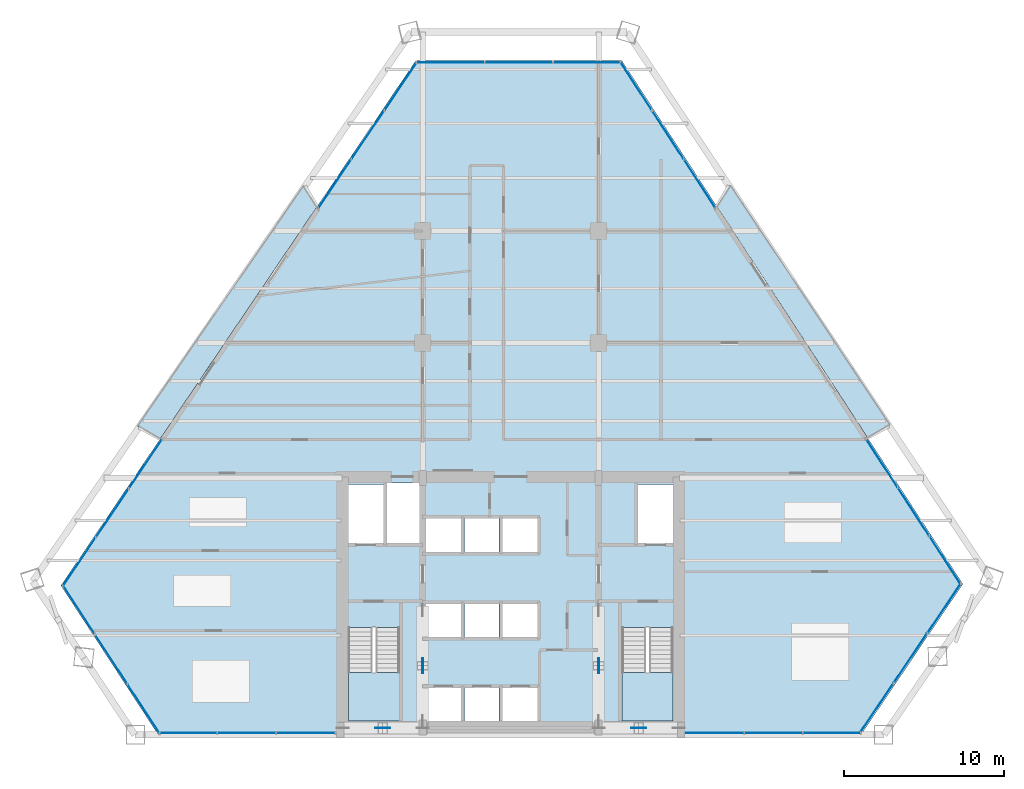
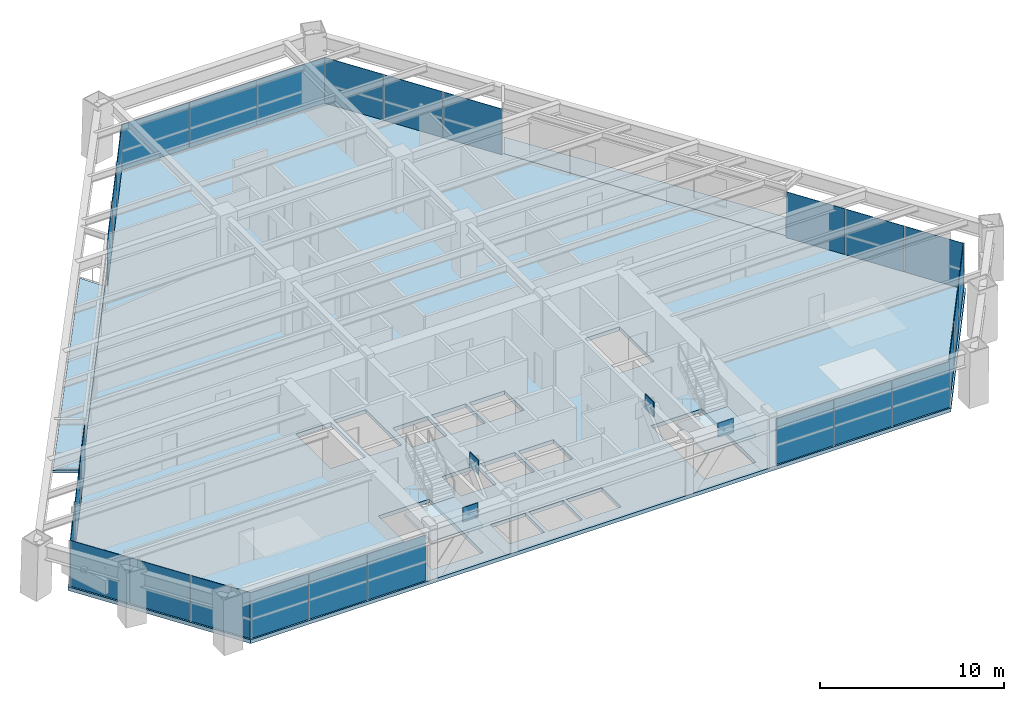
# One storey, part 9 of 14: 31 plates, 5 slabs, 11 elements without a shape of their own.
"""IFC4 building model written with IfcOpenShell, lengths in metres."""

from ifc_helpers import new_model, si_unit, direction, frame, origin, origin_2d, place, context, subcontext, project, spatial, polyline, rectangle, outline, extrude, source, transform, mapped, material, layer, layer_set, type_object, element, aggregate, save


model = new_model("IFC4")

# Units and contexts
model_context = context("Model", 3, precision=1e-05, world=origin(), true_north=direction((0.0, 1.0)))
body_context = subcontext(model_context, "Body", "Model", "MODEL_VIEW")
ifc_project = project(units=[si_unit("LENGTHUNIT", "METRE"), si_unit("AREAUNIT", "SQUARE_METRE"), si_unit("VOLUMEUNIT", "CUBIC_METRE"), si_unit("PLANEANGLEUNIT", "RADIAN"), si_unit("MASSUNIT", "GRAM", prefix="KILO")], contexts=[model_context])

# Site, building, storey
site_placement = place(None, origin())
site = spatial("IfcSite", under=ifc_project, at=site_placement, CompositionType="ELEMENT")
building_placement = place(site_placement, origin())
building = spatial("IfcBuilding", under=site, at=building_placement, Name="Varnakhor Terracotta Tower", CompositionType="ELEMENT")
storey_placement = place(building_placement, frame((0.0, 0.0, 84.0)))
storey = spatial("IfcBuildingStorey", under=building, at=storey_placement, Name="L20", CompositionType="ELEMENT", Elevation=84.0)

# Stair, slab
ifc_material_1 = material(Name="Concrete C40/50", Category="concrete")
stair_type = type_object("IfcStairType", Name="STR-CORE-OFFICE-1500", PredefinedType="HALF_TURN_STAIR", material=ifc_material_1)
stair_1_placement = place(storey_placement, origin())
stair_1 = element("IfcStair", 1, at=stair_1_placement, inside=storey, type_object=stair_type, Name="L20 Core Exit Stair ST-1", PredefinedType="HALF_TURN_STAIR")
ifc_layer_1 = layer(ifc_material_1, 0.179931640625, Name="Concrete C40/50")
ifc_layer_set_1 = layer_set([ifc_layer_1], Name="Concrete C40/50")
slab_type_1 = type_object("IfcSlabType", Name="SLB-LANDING-180", PredefinedType="LANDING", material=ifc_layer_set_1)
slab_1_placement = place(storey_placement, frame((0.0, 0.0, 1.64990234375)))
slab_1 = element("IfcSlab", 2, at=slab_1_placement, type_object=slab_type_1, Name="ST-1 landing 1", PredefinedType="LANDING", context=body_context, shape_type="SweptSolid", body=[
    extrude(outline(polyline([(-10.14990234375, 3.909912109375), (-10.14990234375, 0.85009765625), (-6.949951171875, 0.85009765625), (-6.949951171875, 3.909912109375), (-10.14990234375, 3.909912109375)])), origin(), (0.0, 0.0, 1.0), 0.2001953125),
])
aggregate(stair_1, [slab_1])

stair_2_placement = place(storey_placement, origin())
stair_2 = element("IfcStair", 3, at=stair_2_placement, inside=storey, type_object=stair_type, Name="L20 Core Exit Stair ST-2", PredefinedType="HALF_TURN_STAIR")
slab_2_placement = place(storey_placement, frame((0.0, 0.0, 1.64990234375)))
slab_2 = element("IfcSlab", 4, at=slab_2_placement, type_object=slab_type_1, Name="ST-2 landing 1", PredefinedType="LANDING", context=body_context, shape_type="SweptSolid", body=[
    extrude(outline(polyline([(6.949951171875, 3.909912109375), (6.949951171875, 0.85009765625), (10.14990234375, 0.85009765625), (10.14990234375, 3.909912109375), (6.949951171875, 3.909912109375)])), origin(), (0.0, 0.0, 1.0), 0.2001953125),
])
aggregate(stair_2, [slab_2])

# Slabs
ifc_layer_2 = layer(ifc_material_1, 0.195068359375, Name="Concrete C40/50")
ifc_layer_set_2 = layer_set([ifc_layer_2], Name="Concrete C40/50")
slab_type_2 = type_object("IfcSlabType", Name="SLB-LOGGIA-EXT-195", PredefinedType="FLOOR", material=ifc_layer_set_2)
slab_3_placement = place(storey_placement, frame((0.0, 0.0, -0.195068359375)))
element("IfcSlab", 5, at=slab_3_placement, inside=storey, type_object=slab_type_2, Name="L20 E Recessed Outdoor Loggia Slab", PredefinedType="FLOOR", context=body_context, shape_type="SweptSolid", body=[
    extrude(outline(polyline([(13.7138671875, 34.35888671875), (23.708251953125, 19.361572265625), (22.297119140625, 18.5908203125), (12.913818359375, 32.99072265625), (13.7138671875, 34.35888671875)])), origin(), (0.0, 0.0, 1.0), 0.195068359375),
])
slab_4_placement = place(storey_placement, frame((0.0, 0.0, -0.195068359375)))
element("IfcSlab", 6, at=slab_4_placement, inside=storey, type_object=slab_type_2, Name="L20 W Recessed Outdoor Loggia Slab", PredefinedType="FLOOR", context=body_context, shape_type="SweptSolid", body=[
    extrude(outline(polyline([(-23.31103515625, 19.2861328125), (-12.937255859375, 34.329345703125), (-12.1357421875, 32.962646484375), (-21.89697265625, 18.51806640625), (-23.31103515625, 19.2861328125)])), origin(), (0.0, 0.0, 1.0), 0.195068359375),
])
ifc_layer_3 = layer(ifc_material_1, 0.25, Name="Concrete C40/50")
ifc_layer_set_3 = layer_set([ifc_layer_3], Name="Concrete C40/50")
slab_type_3 = type_object("IfcSlabType", Name="SLB-OFF-250", PredefinedType="FLOOR", material=ifc_layer_set_3)
slab_5_placement = place(storey_placement, frame((0.0, 0.0, -0.25)))
element("IfcSlab", 7, at=slab_5_placement, inside=storey, type_object=slab_type_3, Name="L20 Structural Floor Slab", PredefinedType="FLOOR", context=body_context, shape_type="SweptSolid", body=[
    extrude(outline(polyline([(-28.1083984375, 9.326171875), (-5.92431640625, 42.154541015625), (6.942626953125, 42.154541015625), (28.26806640625, 9.427001953125), (21.897705078125, 0.0), (-22.031494140625, 0.0), (-28.1083984375, 9.326171875)]), holes=[polyline([(-3.10009765625, 0.85009765625), (-3.10009765625, 2.949951171875), (-5.300048828125, 2.949951171875), (-5.300048828125, 0.85009765625), (-3.10009765625, 0.85009765625)]), polyline([(-2.8798828125, 0.85009765625), (-0.719970703125, 0.85009765625), (-0.719970703125, 2.949951171875), (-2.8798828125, 2.949951171875), (-2.8798828125, 0.85009765625)]), polyline([(-10.14990234375, 0.85009765625), (-6.949951171875, 0.85009765625), (-6.949951171875, 6.695068359375), (-10.14990234375, 6.695068359375), (-10.14990234375, 0.85009765625)]), polyline([(-5.300048828125, 6.10009765625), (-3.10009765625, 6.10009765625), (-3.10009765625, 8.199951171875), (-5.300048828125, 8.199951171875), (-5.300048828125, 6.10009765625)]), polyline([(-5.300048828125, 11.419921875), (-3.10009765625, 11.419921875), (-3.10009765625, 13.52001953125), (-5.300048828125, 13.52001953125), (-5.300048828125, 11.419921875)]), polyline([(-10.14990234375, 11.8798828125), (-7.949951171875, 11.8798828125), (-7.949951171875, 15.64990234375), (-10.14990234375, 15.64990234375), (-10.14990234375, 11.8798828125)]), polyline([(-7.72998046875, 11.8798828125), (-5.699951171875, 11.8798828125), (-5.699951171875, 15.75), (-7.72998046875, 15.75), (-7.72998046875, 11.8798828125)]), polyline([(1.699951171875, 0.85009765625), (1.699951171875, 2.949951171875), (-0.5, 2.949951171875), (-0.5, 0.85009765625), (1.699951171875, 0.85009765625)]), polyline([(6.949951171875, 0.85009765625), (10.14990234375, 0.85009765625), (10.14990234375, 6.695068359375), (6.949951171875, 6.695068359375), (6.949951171875, 0.85009765625)]), polyline([(-2.8798828125, 6.10009765625), (-0.719970703125, 6.10009765625), (-0.719970703125, 8.199951171875), (-2.8798828125, 8.199951171875), (-2.8798828125, 6.10009765625)]), polyline([(-0.5, 6.10009765625), (1.699951171875, 6.10009765625), (1.699951171875, 8.199951171875), (-0.5, 8.199951171875), (-0.5, 6.10009765625)]), polyline([(-2.8798828125, 11.419921875), (-0.719970703125, 11.419921875), (-0.719970703125, 13.52001953125), (-2.8798828125, 13.52001953125), (-2.8798828125, 11.419921875)]), polyline([(-0.5, 11.419921875), (1.699951171875, 11.419921875), (1.699951171875, 13.52001953125), (-0.5, 13.52001953125), (-0.5, 11.419921875)]), polyline([(7.949951171875, 11.8798828125), (10.14990234375, 11.8798828125), (10.14990234375, 15.64990234375), (7.949951171875, 15.64990234375), (7.949951171875, 11.8798828125)])]), origin(), (0.0, 0.0, 1.0), 0.25),
])

# Plates
ifc_material_2 = material(Name="Steel S460", Category="steel")
ifc_layer_4 = layer(ifc_material_2, 0.050048828125, Name="Steel S460")
ifc_layer_set_4 = layer_set([ifc_layer_4], Name="Steel S460")
plate_type_1 = type_object("IfcPlateType", Name="PLT-GUSSET-50", PredefinedType="USERDEFINED", material=ifc_layer_set_4)
shared_shape_1 = source(origin(), body_context, "Body", "SweptSolid", [
    extrude(rectangle(XDim=0.949951171875, YDim=0.044921875, at=origin_2d()), origin(), (0.0, 0.0, 1.0), 0.949951171875),
])
for number, where, z_axis, x_axis, name in (
    (8, (-8.0, 0.419921875, 2.8251953125), (0.0, 0.0, 1.0), (1.0, 0.0, 0.0), "L20 Core Brace Apex Gusset CSW"),
    (9, (8.0, 0.419921875, 2.8251953125), (0.0, 0.0, 1.0), (1.0, 0.0, 0.0), "L20 Core Brace Apex Gusset CSE"),
    (10, (-5.5, 4.324951171875, 2.8251953125), (0.0, 0.0, 1.0), (0.0, 1.0, 0.0), "L20 Core Brace Apex Gusset CWW"),
    (11, (5.5, 4.324951171875, 2.8251953125), (0.0, 0.0, 1.0), (0.0, 1.0, 0.0), "L20 Core Brace Apex Gusset CWE"),
):
    element("IfcPlate", number, at=place(storey_placement, frame(where, z_axis=z_axis, x_axis=x_axis)), inside=storey, type_object=plate_type_1, Name=name, ObjectType="GUSSET PLATE", PredefinedType="USERDEFINED", context=body_context, shape_type="MappedRepresentation", body=[
        mapped(shared_shape_1, transform((0.0, 0.0, 0.0), scale=1.0)),
    ])

# Curtain wall, plates
ifc_material_3 = material(Name="Anodised Aluminium Curtain Wall System", Category="aluminium")
curtain_wall_type = type_object("IfcCurtainWallType", Name="CW-SYS-LOW-OFFICE", PredefinedType="NOTDEFINED", material=ifc_material_3)
curtain_wall_1_placement = place(storey_placement, origin())
curtain_wall_1 = element("IfcCurtainWall", 12, at=curtain_wall_1_placement, inside=storey, type_object=curtain_wall_type, Name="L20 E Facet Curtain Wall 1", PredefinedType="NOTDEFINED")
ifc_material_4 = material(Name="Solar-Control Low-E Insulated Glass Panel", Category="glass")
ifc_layer_5 = layer(ifc_material_4, 0.0380859375, Name="Solar-Control Low-E Insulated Glass Panel")
ifc_layer_set_5 = layer_set([ifc_layer_5], Name="Solar-Control Low-E Insulated Glass Panel")
plate_type_2 = type_object("IfcPlateType", Name="CWP-02", PredefinedType="CURTAIN_PANEL", material=ifc_layer_set_5)
shared_shape_2 = source(origin(), body_context, "Body", "SweptSolid", [
    extrude(rectangle(XDim=3.585693359375, YDim=0.035888671875, at=origin_2d()), origin(), (0.0, 0.0, 1.0), 3.030029296875),
])
plate_1_placement = place(storey_placement, frame((9.82763671875, 37.507080078125, 0.0), z_axis=(0.0, 0.0, 1.0), x_axis=(0.545926497641, -0.837833073574, 0.0)))
plate_1 = element("IfcPlate", 13, at=plate_1_placement, type_object=plate_type_2, Name="L20 E Facet Curtain Wall 1 Glazed Panel 2", PredefinedType="CURTAIN_PANEL", context=body_context, shape_type="MappedRepresentation", body=[
    mapped(shared_shape_2, transform((0.0, 0.0, 0.0), scale=1.0)),
])
plate_2_placement = place(storey_placement, frame((11.80712890625, 34.46923828125, 0.0), z_axis=(0.0, 0.0, 1.0), x_axis=(0.545926497641, -0.837833073574, 0.0)))
plate_2 = element("IfcPlate", 14, at=plate_2_placement, type_object=plate_type_2, Name="L20 E Facet Curtain Wall 1 Glazed Panel 3", PredefinedType="CURTAIN_PANEL", context=body_context, shape_type="MappedRepresentation", body=[
    mapped(shared_shape_2, transform((0.0, 0.0, 0.0), scale=1.0)),
])

curtain_wall_2_placement = place(storey_placement, origin())
curtain_wall_2 = element("IfcCurtainWall", 15, at=curtain_wall_2_placement, inside=storey, type_object=curtain_wall_type, Name="L20 E Facet Curtain Wall 2", PredefinedType="NOTDEFINED")
plate_3_placement = place(storey_placement, frame((25.181884765625, 13.943359375, 0.0), z_axis=(0.0, 0.0, 1.0), x_axis=(0.545926497641, -0.837833073574, 0.0)))
plate_3 = element("IfcPlate", 16, at=plate_3_placement, type_object=plate_type_2, Name="L20 E Facet Curtain Wall 2 Glazed Panel 2", PredefinedType="CURTAIN_PANEL", context=body_context, shape_type="MappedRepresentation", body=[
    mapped(shared_shape_2, transform((0.0, 0.0, 0.0), scale=1.0)),
])
plate_4_placement = place(storey_placement, frame((27.16162109375, 10.905517578125, 0.0), z_axis=(0.0, 0.0, 1.0), x_axis=(0.545926497641, -0.837833073574, 0.0)))
plate_4 = element("IfcPlate", 17, at=plate_4_placement, type_object=plate_type_2, Name="L20 E Facet Curtain Wall 2 Glazed Panel 3", PredefinedType="CURTAIN_PANEL", context=body_context, shape_type="MappedRepresentation", body=[
    mapped(shared_shape_2, transform((0.0, 0.0, 0.0), scale=1.0)),
])

curtain_wall_3_placement = place(storey_placement, origin())
curtain_wall_3 = element("IfcCurtainWall", 18, at=curtain_wall_3_placement, inside=storey, type_object=curtain_wall_type, Name="L20 W Facet Curtain Wall 1", PredefinedType="NOTDEFINED")
shared_shape_3 = source(origin(), body_context, "Body", "SweptSolid", [
    extrude(rectangle(XDim=3.637939453125, YDim=0.035888671875, at=origin_2d()), origin(), (0.0, 0.0, 1.0), 3.030029296875),
])
plate_5_placement = place(storey_placement, frame((-26.962646484375, 10.8076171875, 0.0), z_axis=(0.0, 0.0, 1.0), x_axis=(0.559901701219, 0.828559041331, 0.0)))
plate_5 = element("IfcPlate", 19, at=plate_5_placement, type_object=plate_type_2, Name="L20 W Facet Curtain Wall 1 Glazed Panel 1", PredefinedType="CURTAIN_PANEL", context=body_context, shape_type="MappedRepresentation", body=[
    mapped(shared_shape_3, transform((0.0, 0.0, 0.0), scale=1.0)),
])
plate_6_placement = place(storey_placement, frame((-24.9033203125, 13.85498046875, 0.0), z_axis=(0.0, 0.0, 1.0), x_axis=(0.559901701219, 0.828559041331, 0.0)))
plate_6 = element("IfcPlate", 20, at=plate_6_placement, type_object=plate_type_2, Name="L20 W Facet Curtain Wall 1 Glazed Panel 2", PredefinedType="CURTAIN_PANEL", context=body_context, shape_type="MappedRepresentation", body=[
    mapped(shared_shape_3, transform((0.0, 0.0, 0.0), scale=1.0)),
])
plate_7_placement = place(storey_placement, frame((-22.84375, 16.90234375, 0.0), z_axis=(0.0, 0.0, 1.0), x_axis=(0.559901701219, 0.828559041331, 0.0)))
plate_7 = element("IfcPlate", 21, at=plate_7_placement, type_object=plate_type_2, Name="L20 W Facet Curtain Wall 1 Glazed Panel 3", PredefinedType="CURTAIN_PANEL", context=body_context, shape_type="MappedRepresentation", body=[
    mapped(shared_shape_3, transform((0.0, 0.0, 0.0), scale=1.0)),
])
aggregate(curtain_wall_3, [plate_5, plate_6, plate_7])

curtain_wall_4_placement = place(storey_placement, origin())
curtain_wall_4 = element("IfcCurtainWall", 22, at=curtain_wall_4_placement, inside=storey, type_object=curtain_wall_type, Name="L20 W Facet Curtain Wall 2", PredefinedType="NOTDEFINED")
plate_8_placement = place(storey_placement, frame((-10.989990234375, 34.44384765625, 0.0), z_axis=(0.0, 0.0, 1.0), x_axis=(0.559901701219, 0.828559041331, 0.0)))
plate_8 = element("IfcPlate", 23, at=plate_8_placement, type_object=plate_type_2, Name="L20 W Facet Curtain Wall 2 Glazed Panel 1", PredefinedType="CURTAIN_PANEL", context=body_context, shape_type="MappedRepresentation", body=[
    mapped(shared_shape_3, transform((0.0, 0.0, 0.0), scale=1.0)),
])
plate_9_placement = place(storey_placement, frame((-8.9306640625, 37.4912109375, 0.0), z_axis=(0.0, 0.0, 1.0), x_axis=(0.559901701219, 0.828559041331, 0.0)))
plate_9 = element("IfcPlate", 24, at=plate_9_placement, type_object=plate_type_2, Name="L20 W Facet Curtain Wall 2 Glazed Panel 2", PredefinedType="CURTAIN_PANEL", context=body_context, shape_type="MappedRepresentation", body=[
    mapped(shared_shape_3, transform((0.0, 0.0, 0.0), scale=1.0)),
])
plate_10_placement = place(storey_placement, frame((-6.871337890625, 40.538818359375, 0.0), z_axis=(0.0, 0.0, 1.0), x_axis=(0.559901701219, 0.828559041331, 0.0)))
plate_10 = element("IfcPlate", 25, at=plate_10_placement, type_object=plate_type_2, Name="L20 W Facet Curtain Wall 2 Glazed Panel 3", PredefinedType="CURTAIN_PANEL", context=body_context, shape_type="MappedRepresentation", body=[
    mapped(shared_shape_3, transform((0.0, 0.0, 0.0), scale=1.0)),
])
aggregate(curtain_wall_4, [plate_8, plate_9, plate_10])

curtain_wall_5_placement = place(storey_placement, origin())
curtain_wall_5 = element("IfcCurtainWall", 26, at=curtain_wall_5_placement, inside=storey, type_object=curtain_wall_type, Name="L20 Facet Curtain Wall 2", PredefinedType="NOTDEFINED")
shared_shape_4 = source(origin(), body_context, "Body", "SweptSolid", [
    extrude(rectangle(XDim=4.22900390625, YDim=0.035888671875, at=origin_2d()), origin(), (0.0, 0.0, 1.0), 3.030029296875),
])
plate_11_placement = place(storey_placement, frame((-3.759765625, 42.034423828125, 0.0), z_axis=(0.0, 0.0, 1.0), x_axis=(1.0, 0.0, 0.0)))
plate_11 = element("IfcPlate", 27, at=plate_11_placement, type_object=plate_type_2, Name="L20 Facet Curtain Wall 2 Glazed Panel 1", PredefinedType="CURTAIN_PANEL", context=body_context, shape_type="MappedRepresentation", body=[
    mapped(shared_shape_4, transform((0.0, 0.0, 0.0), scale=1.0)),
])
plate_12_placement = place(storey_placement, frame((0.50927734375, 42.034423828125, 0.0), z_axis=(0.0, 0.0, 1.0), x_axis=(1.0, 0.0, 0.0)))
plate_12 = element("IfcPlate", 28, at=plate_12_placement, type_object=plate_type_2, Name="L20 Facet Curtain Wall 2 Glazed Panel 2", PredefinedType="CURTAIN_PANEL", context=body_context, shape_type="MappedRepresentation", body=[
    mapped(shared_shape_4, transform((0.0, 0.0, 0.0), scale=1.0)),
])
plate_13_placement = place(storey_placement, frame((4.7783203125, 42.034423828125, 0.0), z_axis=(0.0, 0.0, 1.0), x_axis=(1.0, 0.0, 0.0)))
plate_13 = element("IfcPlate", 29, at=plate_13_placement, type_object=plate_type_2, Name="L20 Facet Curtain Wall 2 Glazed Panel 3", PredefinedType="CURTAIN_PANEL", context=body_context, shape_type="MappedRepresentation", body=[
    mapped(shared_shape_4, transform((0.0, 0.0, 0.0), scale=1.0)),
])
aggregate(curtain_wall_5, [plate_11, plate_12, plate_13])

# Plate
shared_shape_5 = source(origin(), body_context, "Body", "SweptSolid", [
    extrude(rectangle(XDim=3.5859375, YDim=0.035888671875, at=origin_2d()), origin(), (0.0, 0.0, 1.0), 3.030029296875),
])
plate_14_placement = place(storey_placement, frame((7.848388671875, 40.544921875, 0.0), z_axis=(0.0, 0.0, 1.0), x_axis=(0.545926497641, -0.837833073574, 0.0)))
plate_14 = element("IfcPlate", 30, at=plate_14_placement, type_object=plate_type_2, Name="L20 E Facet Curtain Wall 1 Glazed Panel 1", PredefinedType="CURTAIN_PANEL", context=body_context, shape_type="MappedRepresentation", body=[
    mapped(shared_shape_5, transform((0.0, 0.0, 0.0), scale=1.0)),
])

aggregate(curtain_wall_1, [plate_14, plate_1, plate_2])

plate_15_placement = place(storey_placement, frame((23.20263671875, 16.981201171875, 0.0), z_axis=(0.0, 0.0, 1.0), x_axis=(0.545926497641, -0.837833073574, 0.0)))
plate_15 = element("IfcPlate", 31, at=plate_15_placement, type_object=plate_type_2, Name="L20 E Facet Curtain Wall 2 Glazed Panel 1", PredefinedType="CURTAIN_PANEL", context=body_context, shape_type="MappedRepresentation", body=[
    mapped(shared_shape_5, transform((0.0, 0.0, 0.0), scale=1.0)),
])

aggregate(curtain_wall_2, [plate_15, plate_3, plate_4])

# Curtain wall, plates
curtain_wall_6_placement = place(storey_placement, origin())
curtain_wall_6 = element("IfcCurtainWall", 32, at=curtain_wall_6_placement, inside=storey, type_object=curtain_wall_type, Name="L20 Facet Curtain Wall 4", PredefinedType="NOTDEFINED")
shared_shape_6 = source(origin(), body_context, "Body", "SweptSolid", [
    extrude(rectangle(XDim=3.732421875, YDim=0.035888671875, at=origin_2d()), origin(), (0.0, 0.0, 1.0), 3.030029296875),
])
plate_16_placement = place(storey_placement, frame((27.095703125, 7.906494140625, 0.0), z_axis=(0.0, 0.0, 1.0), x_axis=(-0.559901701219, -0.828559041331, 0.0)))
plate_16 = element("IfcPlate", 33, at=plate_16_placement, type_object=plate_type_2, Name="L20 Facet Curtain Wall 4 Glazed Panel 1", PredefinedType="CURTAIN_PANEL", context=body_context, shape_type="MappedRepresentation", body=[
    mapped(shared_shape_6, transform((0.0, 0.0, 0.0), scale=1.0)),
])
plate_17_placement = place(storey_placement, frame((22.87109375, 1.65478515625, 0.0), z_axis=(0.0, 0.0, 1.0), x_axis=(-0.559901701219, -0.828559041331, 0.0)))
plate_17 = element("IfcPlate", 34, at=plate_17_placement, type_object=plate_type_2, Name="L20 Facet Curtain Wall 4 Glazed Panel 3", PredefinedType="CURTAIN_PANEL", context=body_context, shape_type="MappedRepresentation", body=[
    mapped(shared_shape_6, transform((0.0, 0.0, 0.0), scale=1.0)),
])
shared_shape_7 = source(origin(), body_context, "Body", "SweptSolid", [
    extrude(rectangle(XDim=3.732666015625, YDim=0.035888671875, at=origin_2d()), origin(), (0.0, 0.0, 1.0), 3.030029296875),
])
plate_18_placement = place(storey_placement, frame((24.9833984375, 4.78076171875, 0.0), z_axis=(0.0, 0.0, 1.0), x_axis=(-0.559901701219, -0.828559041331, 0.0)))
plate_18 = element("IfcPlate", 35, at=plate_18_placement, type_object=plate_type_2, Name="L20 Facet Curtain Wall 4 Glazed Panel 2", PredefinedType="CURTAIN_PANEL", context=body_context, shape_type="MappedRepresentation", body=[
    mapped(shared_shape_7, transform((0.0, 0.0, 0.0), scale=1.0)),
])
aggregate(curtain_wall_6, [plate_16, plate_18, plate_17])

curtain_wall_7_placement = place(storey_placement, origin())
curtain_wall_7 = element("IfcCurtainWall", 36, at=curtain_wall_7_placement, inside=storey, type_object=curtain_wall_type, Name="L20 South Wing Curtain Wall SSE", PredefinedType="NOTDEFINED")
shared_shape_8 = source(origin(), body_context, "Body", "SweptSolid", [
    extrude(rectangle(XDim=3.59912109375, YDim=0.035888671875, at=origin_2d()), origin(), (0.0, 0.0, 1.0), 3.030029296875),
])
plate_19_placement = place(storey_placement, frame((20.068115234375, 0.1201171875, 0.0), z_axis=(0.0, 0.0, 1.0), x_axis=(-1.0, 0.0, 0.0)))
plate_19 = element("IfcPlate", 37, at=plate_19_placement, type_object=plate_type_2, Name="L20 South Wing Curtain Wall SSE Glazed Panel 1", PredefinedType="CURTAIN_PANEL", context=body_context, shape_type="MappedRepresentation", body=[
    mapped(shared_shape_8, transform((0.0, 0.0, 0.0), scale=1.0)),
])
plate_20_placement = place(storey_placement, frame((12.78955078125, 0.1201171875, 0.0), z_axis=(0.0, 0.0, 1.0), x_axis=(-1.0, 0.0, 0.0)))
plate_20 = element("IfcPlate", 38, at=plate_20_placement, type_object=plate_type_2, Name="L20 South Wing Curtain Wall SSE Glazed Panel 3", PredefinedType="CURTAIN_PANEL", context=body_context, shape_type="MappedRepresentation", body=[
    mapped(shared_shape_8, transform((0.0, 0.0, 0.0), scale=1.0)),
])
shared_shape_9 = source(origin(), body_context, "Body", "SweptSolid", [
    extrude(rectangle(XDim=3.599365234375, YDim=0.035888671875, at=origin_2d()), origin(), (0.0, 0.0, 1.0), 3.030029296875),
])
plate_21_placement = place(storey_placement, frame((16.428955078125, 0.1201171875, 0.0), z_axis=(0.0, 0.0, 1.0), x_axis=(-1.0, 0.0, 0.0)))
plate_21 = element("IfcPlate", 39, at=plate_21_placement, type_object=plate_type_2, Name="L20 South Wing Curtain Wall SSE Glazed Panel 2", PredefinedType="CURTAIN_PANEL", context=body_context, shape_type="MappedRepresentation", body=[
    mapped(shared_shape_9, transform((0.0, 0.0, 0.0), scale=1.0)),
])
aggregate(curtain_wall_7, [plate_19, plate_21, plate_20])

curtain_wall_8_placement = place(storey_placement, origin())
curtain_wall_8 = element("IfcCurtainWall", 40, at=curtain_wall_8_placement, inside=storey, type_object=curtain_wall_type, Name="L20 South Wing Curtain Wall SSW", PredefinedType="NOTDEFINED")
shared_shape_10 = source(origin(), body_context, "Body", "SweptSolid", [
    extrude(rectangle(XDim=3.643798828125, YDim=0.035888671875, at=origin_2d()), origin(), (0.0, 0.0, 1.0), 3.030029296875),
])
plate_22_placement = place(storey_placement, frame((-12.81201171875, 0.1201171875, 0.0), z_axis=(0.0, 0.0, 1.0), x_axis=(-1.0, 0.0, 0.0)))
plate_22 = element("IfcPlate", 41, at=plate_22_placement, type_object=plate_type_2, Name="L20 South Wing Curtain Wall SSW Glazed Panel 1", PredefinedType="CURTAIN_PANEL", context=body_context, shape_type="MappedRepresentation", body=[
    mapped(shared_shape_10, transform((0.0, 0.0, 0.0), scale=1.0)),
])
plate_23_placement = place(storey_placement, frame((-16.49560546875, 0.1201171875, 0.0), z_axis=(0.0, 0.0, 1.0), x_axis=(-1.0, 0.0, 0.0)))
plate_23 = element("IfcPlate", 42, at=plate_23_placement, type_object=plate_type_2, Name="L20 South Wing Curtain Wall SSW Glazed Panel 2", PredefinedType="CURTAIN_PANEL", context=body_context, shape_type="MappedRepresentation", body=[
    mapped(shared_shape_10, transform((0.0, 0.0, 0.0), scale=1.0)),
])
plate_24_placement = place(storey_placement, frame((-20.179443359375, 0.1201171875, 0.0), z_axis=(0.0, 0.0, 1.0), x_axis=(-1.0, 0.0, 0.0)))
plate_24 = element("IfcPlate", 43, at=plate_24_placement, type_object=plate_type_2, Name="L20 South Wing Curtain Wall SSW Glazed Panel 3", PredefinedType="CURTAIN_PANEL", context=body_context, shape_type="MappedRepresentation", body=[
    mapped(shared_shape_10, transform((0.0, 0.0, 0.0), scale=1.0)),
])
aggregate(curtain_wall_8, [plate_22, plate_23, plate_24])

curtain_wall_9_placement = place(storey_placement, origin())
curtain_wall_9 = element("IfcCurtainWall", 44, at=curtain_wall_9_placement, inside=storey, type_object=curtain_wall_type, Name="L20 Facet Curtain Wall 6", PredefinedType="NOTDEFINED")
shared_shape_11 = source(origin(), body_context, "Body", "SweptSolid", [
    extrude(rectangle(XDim=3.650390625, YDim=0.035888671875, at=origin_2d()), origin(), (0.0, 0.0, 1.0), 3.030029296875),
])
plate_25_placement = place(storey_placement, frame((-22.95458984375, 1.63671875, 0.0), z_axis=(0.0, 0.0, 1.0), x_axis=(-0.545926497641, 0.837833073574, 0.0)))
plate_25 = element("IfcPlate", 45, at=plate_25_placement, type_object=plate_type_2, Name="L20 Facet Curtain Wall 6 Glazed Panel 1", PredefinedType="CURTAIN_PANEL", context=body_context, shape_type="MappedRepresentation", body=[
    mapped(shared_shape_11, transform((0.0, 0.0, 0.0), scale=1.0)),
])
plate_26_placement = place(storey_placement, frame((-24.96923828125, 4.728515625, 0.0), z_axis=(0.0, 0.0, 1.0), x_axis=(-0.545926497641, 0.837833073574, 0.0)))
plate_26 = element("IfcPlate", 46, at=plate_26_placement, type_object=plate_type_2, Name="L20 Facet Curtain Wall 6 Glazed Panel 2", PredefinedType="CURTAIN_PANEL", context=body_context, shape_type="MappedRepresentation", body=[
    mapped(shared_shape_11, transform((0.0, 0.0, 0.0), scale=1.0)),
])
plate_27_placement = place(storey_placement, frame((-26.984130859375, 7.820556640625, 0.0), z_axis=(0.0, 0.0, 1.0), x_axis=(-0.545926497641, 0.837833073574, 0.0)))
plate_27 = element("IfcPlate", 47, at=plate_27_placement, type_object=plate_type_2, Name="L20 Facet Curtain Wall 6 Glazed Panel 3", PredefinedType="CURTAIN_PANEL", context=body_context, shape_type="MappedRepresentation", body=[
    mapped(shared_shape_11, transform((0.0, 0.0, 0.0), scale=1.0)),
])
aggregate(curtain_wall_9, [plate_25, plate_26, plate_27])

save(model, "model.ifc")
